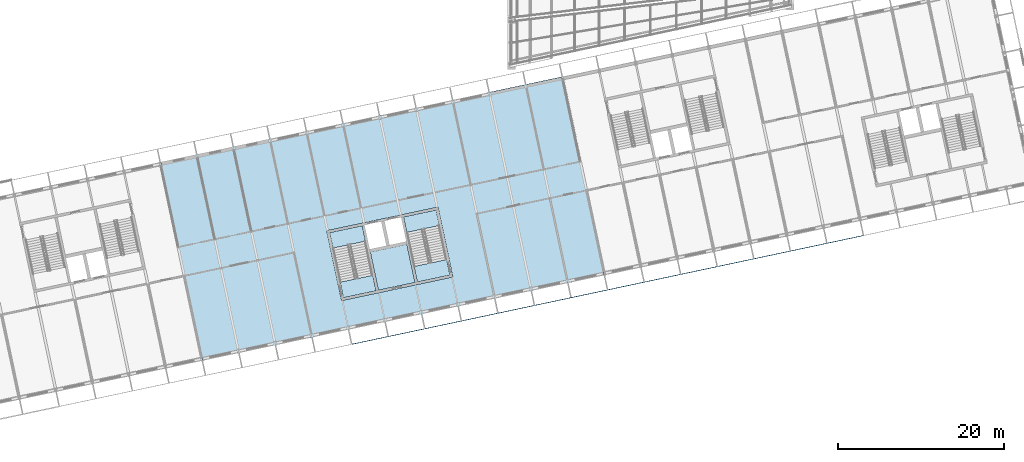
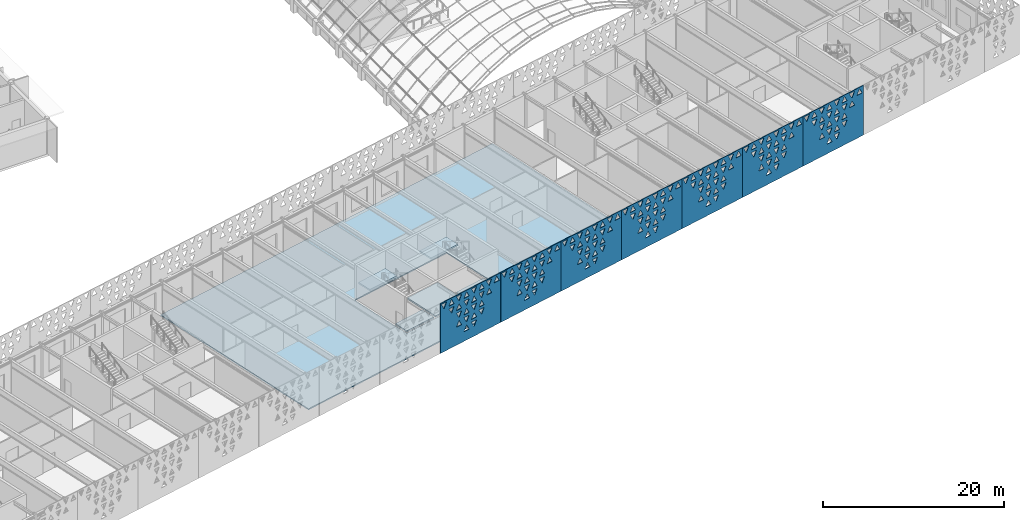
# One storey, part 100 of 182: 7 plates, 6 slabs, 2 elements without a shape of their own.
"""IFC4 building model written with IfcOpenShell, lengths in metres."""

from ifc_helpers import new_model, si_unit, direction, frame, origin, place, context, subcontext, project, spatial, polyline, outline, extrude, material, layer, layer_set, type_object, element, aggregate, save


model = new_model("IFC4")

# Units and contexts
model_context = context("Model", 3, precision=1e-05, world=origin(), true_north=direction((0.0, 1.0)))
body_context = subcontext(model_context, "Body", "Model", "MODEL_VIEW")
ifc_project = project(units=[si_unit("LENGTHUNIT", "METRE"), si_unit("AREAUNIT", "SQUARE_METRE"), si_unit("VOLUMEUNIT", "CUBIC_METRE"), si_unit("PLANEANGLEUNIT", "RADIAN"), si_unit("MASSUNIT", "GRAM", prefix="KILO")], contexts=[model_context])

# Site, building, storey
site_placement = place(None, origin())
site = spatial("IfcSite", under=ifc_project, at=site_placement, CompositionType="ELEMENT")
building_placement = place(site_placement, origin())
building = spatial("IfcBuilding", under=site, at=building_placement, Name="Okhra Congress Centre", CompositionType="ELEMENT")
storey_placement = place(building_placement, frame((0.0, 0.0, 7.199951171875)))
storey = spatial("IfcBuildingStorey", under=building, at=storey_placement, Name="L01", CompositionType="ELEMENT", Elevation=7.199951171875)

# Slabs
ifc_material_1 = material(Name="Concrete C30/37 on profiled steel deck", Category="concrete")
ifc_layer_1 = layer(ifc_material_1, 0.14990234375)
ifc_layer_set_1 = layer_set([ifc_layer_1], Name="Composite floor deck 150 REI 120 C30/37")
slab_type_1 = type_object("IfcSlabType", Name="Composite floor deck 150 REI 120 C30/37", PredefinedType="FLOOR", material=ifc_layer_set_1)
slab_1_placement = place(storey_placement, frame((0.0, 0.0, -0.14990234375)))
element("IfcSlab", 1, at=slab_1_placement, inside=storey, type_object=slab_type_1, Name="Floor slab L01 bay 2", PredefinedType="FLOOR", context=body_context, shape_type="SweptSolid", body=[
    extrude(outline(polyline([(113.244873046875, 62.677978515625), (118.328369140625, 38.762451171875), (166.64892578125, 49.033203125), (161.5654296875, 72.948974609375), (113.244873046875, 62.677978515625)]), holes=[polyline([(148.4404296875, 48.84326171875), (146.65234375, 57.25537109375), (133.251708984375, 54.406982421875), (135.039794921875, 45.994873046875), (148.4404296875, 48.84326171875)])]), origin(), (0.0, 0.0, 1.0), 0.14990234375),
])
ifc_material_2 = material(Name="Concrete C30/37", Category="concrete")
ifc_layer_2 = layer(ifc_material_2, 0.199951171875)
ifc_layer_set_2 = layer_set([ifc_layer_2], Name="RC floor slab 200 REI 120 C30/37")
slab_type_2 = type_object("IfcSlabType", Name="RC floor slab 200 REI 120 C30/37", PredefinedType="FLOOR", material=ifc_layer_set_2)
slab_2_placement = place(storey_placement, frame((0.0, 0.0, -0.199951171875)))
element("IfcSlab", 2, at=slab_2_placement, inside=storey, type_object=slab_type_2, Name="Stair floor landing 3A L01", PredefinedType="FLOOR", context=body_context, shape_type="SweptSolid", body=[
    extrude(outline(polyline([(139.189453125, 47.178466796875), (135.26708984375, 46.3447265625), (134.869873046875, 48.213134765625), (138.792236328125, 49.046875), (139.189453125, 47.178466796875)])), origin(), (0.0, 0.0, 1.0), 0.199951171875),
])
slab_3_placement = place(storey_placement, frame((0.0, 0.0, -0.199951171875)))
element("IfcSlab", 3, at=slab_3_placement, inside=storey, type_object=slab_type_2, Name="Stair floor landing 3B L01", PredefinedType="FLOOR", context=body_context, shape_type="SweptSolid", body=[
    extrude(outline(polyline([(148.090576171875, 49.070556640625), (144.168212890625, 48.23681640625), (143.77099609375, 50.10498046875), (147.693359375, 50.938720703125), (148.090576171875, 49.070556640625)])), origin(), (0.0, 0.0, 1.0), 0.199951171875),
])
slab_4_placement = place(storey_placement, frame((0.0, 0.0, -0.199951171875)))
element("IfcSlab", 4, at=slab_4_placement, inside=storey, type_object=slab_type_2, Name="Riser room floor 3 L01", PredefinedType="FLOOR", context=body_context, shape_type="SweptSolid", body=[
    extrude(outline(polyline([(139.476806640625, 47.244873046875), (143.87841796875, 48.180419921875), (142.9013671875, 52.777587890625), (138.499755859375, 51.842041015625), (139.476806640625, 47.244873046875)])), origin(), (0.0, 0.0, 1.0), 0.199951171875),
])

# Stair, slab
stair_type = type_object("IfcStairType", Name="Escape stair 1900 wide, 30 risers of 160.0", PredefinedType="HALF_TURN_STAIR", material=ifc_material_2)
stair_1_placement = place(storey_placement, origin())
stair_1 = element("IfcStair", 5, at=stair_1_placement, inside=storey, type_object=stair_type, Name="L01 Escape stair 3A", PredefinedType="HALF_TURN_STAIR")
ifc_layer_3 = layer(ifc_material_2, 0.199951171875)
ifc_layer_set_3 = layer_set([ifc_layer_3], Name="RC stair landing 200 C30/37")
slab_type_3 = type_object("IfcSlabType", Name="RC stair landing 200 C30/37", PredefinedType="LANDING", material=ifc_layer_set_3)
slab_5_placement = place(storey_placement, frame((0.0, 0.0, 2.199951171875)))
slab_5 = element("IfcSlab", 6, at=slab_5_placement, type_object=slab_type_3, Name="BS3A landing 1", PredefinedType="LANDING", context=body_context, shape_type="SweptSolid", body=[
    extrude(outline(polyline([(137.921142578125, 53.145263671875), (133.998779296875, 52.3115234375), (133.6015625, 54.1796875), (137.52392578125, 55.013427734375), (137.921142578125, 53.145263671875)])), origin(), (0.0, 0.0, 1.0), 0.2001953125),
])
aggregate(stair_1, [slab_5])

stair_2_placement = place(storey_placement, origin())
stair_2 = element("IfcStair", 7, at=stair_2_placement, inside=storey, type_object=stair_type, Name="L01 Escape stair 3B", PredefinedType="HALF_TURN_STAIR")
slab_6_placement = place(storey_placement, frame((0.0, 0.0, 2.199951171875)))
slab_6 = element("IfcSlab", 8, at=slab_6_placement, type_object=slab_type_3, Name="BS3B landing 1", PredefinedType="LANDING", context=body_context, shape_type="SweptSolid", body=[
    extrude(outline(polyline([(146.822265625, 55.037353515625), (142.89990234375, 54.20361328125), (142.502685546875, 56.07177734375), (146.425048828125, 56.905517578125), (146.822265625, 55.037353515625)])), origin(), (0.0, 0.0, 1.0), 0.2001953125),
])
aggregate(stair_2, [slab_6])

# Plates
ifc_material_3 = material(Name="Fired clay terracotta rainscreen panel, deep oxide-red glaze, non-combustible", Category="masonry")
ifc_layer_4 = layer(ifc_material_3, 0.080078125)
ifc_layer_set_4 = layer_set([ifc_layer_4], Name="Terracotta screen panel 8980x6720")
plate_type = type_object("IfcPlateType", Name="Terracotta screen panel 8980x6720", PredefinedType="SHEET", material=ifc_layer_set_4)
plate_1_placement = place(storey_placement, frame((136.27001953125, 40.73583984375, 0.010009765625), z_axis=(0.0, 0.0, 1.0), x_axis=(0.978150766104, 0.207896798366, 0.0)))
element("IfcPlate", 9, at=plate_1_placement, inside=storey, type_object=plate_type, Name="Screen panel S10 Tier 1", PredefinedType="SHEET", context=body_context, shape_type="SweptSolid", body=[
    extrude(outline(polyline([(0.0, 0.0), (8.980224609375, 0.0), (8.980224609375, 6.719970703125), (0.0, 6.719970703125), (0.0, 0.0)]), holes=[polyline([(3.536376953125, 1.303955078125), (4.3037109375, 1.303955078125), (3.919921875, 2.05615234375), (3.536376953125, 1.303955078125)]), polyline([(4.656494140625, 2.05615234375), (5.0400390625, 1.303955078125), (5.423583984375, 2.05615234375), (4.656494140625, 2.05615234375)]), polyline([(2.41650390625, 2.423828125), (3.18359375, 2.423828125), (2.800048828125, 3.176025390625), (2.41650390625, 2.423828125)]), polyline([(3.536376953125, 3.176025390625), (3.919921875, 2.423828125), (4.3037109375, 3.176025390625), (3.536376953125, 3.176025390625)]), polyline([(4.656494140625, 2.423828125), (5.423583984375, 2.423828125), (5.0400390625, 3.176025390625), (4.656494140625, 2.423828125)]), polyline([(5.7763671875, 3.176025390625), (6.159912109375, 2.423828125), (6.543701171875, 3.176025390625), (5.7763671875, 3.176025390625)]), polyline([(2.41650390625, 4.296142578125), (2.800048828125, 3.5439453125), (3.18359375, 4.296142578125), (2.41650390625, 4.296142578125)]), polyline([(3.536376953125, 3.5439453125), (4.3037109375, 3.5439453125), (3.919921875, 4.296142578125), (3.536376953125, 3.5439453125)]), polyline([(4.656494140625, 4.296142578125), (5.0400390625, 3.5439453125), (5.423583984375, 4.296142578125), (4.656494140625, 4.296142578125)]), polyline([(5.7763671875, 3.5439453125), (6.543701171875, 3.5439453125), (6.159912109375, 4.296142578125), (5.7763671875, 3.5439453125)]), polyline([(1.29638671875, 5.416015625), (1.679931640625, 4.663818359375), (2.0634765625, 5.416015625), (1.29638671875, 5.416015625)]), polyline([(2.41650390625, 4.663818359375), (3.18359375, 4.663818359375), (2.800048828125, 5.416015625), (2.41650390625, 4.663818359375)]), polyline([(3.536376953125, 5.416015625), (3.919921875, 4.663818359375), (4.3037109375, 5.416015625), (3.536376953125, 5.416015625)]), polyline([(4.656494140625, 4.663818359375), (5.423583984375, 4.663818359375), (5.0400390625, 5.416015625), (4.656494140625, 4.663818359375)]), polyline([(5.7763671875, 5.416015625), (6.159912109375, 4.663818359375), (6.543701171875, 5.416015625), (5.7763671875, 5.416015625)]), polyline([(6.896484375, 4.663818359375), (7.66357421875, 4.663818359375), (7.280029296875, 5.416015625), (6.896484375, 4.663818359375)]), polyline([(0.176513671875, 6.5361328125), (0.56005859375, 5.783935546875), (0.943603515625, 6.5361328125), (0.176513671875, 6.5361328125)]), polyline([(1.29638671875, 5.783935546875), (2.0634765625, 5.783935546875), (1.679931640625, 6.5361328125), (1.29638671875, 5.783935546875)]), polyline([(2.41650390625, 6.5361328125), (2.800048828125, 5.783935546875), (3.18359375, 6.5361328125), (2.41650390625, 6.5361328125)]), polyline([(3.536376953125, 5.783935546875), (4.3037109375, 5.783935546875), (3.919921875, 6.5361328125), (3.536376953125, 5.783935546875)]), polyline([(4.656494140625, 6.5361328125), (5.0400390625, 5.783935546875), (5.423583984375, 6.5361328125), (4.656494140625, 6.5361328125)]), polyline([(5.7763671875, 5.783935546875), (6.543701171875, 5.783935546875), (6.159912109375, 6.5361328125), (5.7763671875, 5.783935546875)]), polyline([(6.896484375, 6.5361328125), (7.280029296875, 5.783935546875), (7.66357421875, 6.5361328125), (6.896484375, 6.5361328125)]), polyline([(8.016357421875, 5.783935546875), (8.78369140625, 5.783935546875), (8.39990234375, 6.5361328125), (8.016357421875, 5.783935546875)])]), frame((0.0, 0.0400390625, 0.0), z_axis=(0.0, -1.0, 0.0), x_axis=(1.0, 0.0, 0.0)), (0.0, 0.0, 1.0), 0.080078125),
])
plate_2_placement = place(storey_placement, frame((145.073486328125, 42.60693359375, 0.010009765625), z_axis=(0.0, 0.0, 1.0), x_axis=(0.978144061878, 0.207928339131, 0.0)))
element("IfcPlate", 10, at=plate_2_placement, inside=storey, type_object=plate_type, Name="Screen panel S11 Tier 1", PredefinedType="SHEET", context=body_context, shape_type="SweptSolid", body=[
    extrude(outline(polyline([(0.0, 0.0), (8.97998046875, 0.0), (8.97998046875, 6.719970703125), (0.0, 6.719970703125), (0.0, 0.0)]), holes=[polyline([(3.536376953125, 1.303955078125), (4.3037109375, 1.303955078125), (3.919921875, 2.05615234375), (3.536376953125, 1.303955078125)]), polyline([(4.656494140625, 2.05615234375), (5.0400390625, 1.303955078125), (5.423583984375, 2.05615234375), (4.656494140625, 2.05615234375)]), polyline([(2.41650390625, 2.423828125), (3.18359375, 2.423828125), (2.800048828125, 3.176025390625), (2.41650390625, 2.423828125)]), polyline([(3.536376953125, 3.176025390625), (3.919921875, 2.423828125), (4.3037109375, 3.176025390625), (3.536376953125, 3.176025390625)]), polyline([(4.656494140625, 2.423828125), (5.423583984375, 2.423828125), (5.0400390625, 3.176025390625), (4.656494140625, 2.423828125)]), polyline([(5.7763671875, 3.176025390625), (6.159912109375, 2.423828125), (6.543701171875, 3.176025390625), (5.7763671875, 3.176025390625)]), polyline([(2.41650390625, 4.296142578125), (2.800048828125, 3.5439453125), (3.18359375, 4.296142578125), (2.41650390625, 4.296142578125)]), polyline([(3.536376953125, 3.5439453125), (4.3037109375, 3.5439453125), (3.919921875, 4.296142578125), (3.536376953125, 3.5439453125)]), polyline([(4.656494140625, 4.296142578125), (5.0400390625, 3.5439453125), (5.423583984375, 4.296142578125), (4.656494140625, 4.296142578125)]), polyline([(5.7763671875, 3.5439453125), (6.543701171875, 3.5439453125), (6.159912109375, 4.296142578125), (5.7763671875, 3.5439453125)]), polyline([(1.29638671875, 5.416015625), (1.679931640625, 4.663818359375), (2.0634765625, 5.416015625), (1.29638671875, 5.416015625)]), polyline([(2.41650390625, 4.663818359375), (3.18359375, 4.663818359375), (2.800048828125, 5.416015625), (2.41650390625, 4.663818359375)]), polyline([(3.536376953125, 5.416015625), (3.919921875, 4.663818359375), (4.3037109375, 5.416015625), (3.536376953125, 5.416015625)]), polyline([(4.656494140625, 4.663818359375), (5.423583984375, 4.663818359375), (5.0400390625, 5.416015625), (4.656494140625, 4.663818359375)]), polyline([(5.7763671875, 5.416015625), (6.159912109375, 4.663818359375), (6.543701171875, 5.416015625), (5.7763671875, 5.416015625)]), polyline([(6.896484375, 4.663818359375), (7.66357421875, 4.663818359375), (7.280029296875, 5.416015625), (6.896484375, 4.663818359375)]), polyline([(0.176513671875, 6.5361328125), (0.56005859375, 5.783935546875), (0.943603515625, 6.5361328125), (0.176513671875, 6.5361328125)]), polyline([(1.29638671875, 5.783935546875), (2.0634765625, 5.783935546875), (1.679931640625, 6.5361328125), (1.29638671875, 5.783935546875)]), polyline([(2.41650390625, 6.5361328125), (2.800048828125, 5.783935546875), (3.18359375, 6.5361328125), (2.41650390625, 6.5361328125)]), polyline([(3.536376953125, 5.783935546875), (4.3037109375, 5.783935546875), (3.919921875, 6.5361328125), (3.536376953125, 5.783935546875)]), polyline([(4.656494140625, 6.5361328125), (5.0400390625, 5.783935546875), (5.423583984375, 6.5361328125), (4.656494140625, 6.5361328125)]), polyline([(5.7763671875, 5.783935546875), (6.543701171875, 5.783935546875), (6.159912109375, 6.5361328125), (5.7763671875, 5.783935546875)]), polyline([(6.896484375, 6.5361328125), (7.280029296875, 5.783935546875), (7.66357421875, 6.5361328125), (6.896484375, 6.5361328125)]), polyline([(8.016357421875, 5.783935546875), (8.78369140625, 5.783935546875), (8.39990234375, 6.5361328125), (8.016357421875, 5.783935546875)])]), frame((0.0, 0.0400390625, 0.0), z_axis=(0.0, -1.0, 0.0), x_axis=(1.0, 0.0, 0.0)), (0.0, 0.0, 1.0), 0.080078125),
])
plate_3_placement = place(storey_placement, frame((153.876708984375, 44.478271484375, 0.010009765625), z_axis=(0.0, 0.0, 1.0), x_axis=(0.978149591018, 0.207902327047, 0.0)))
element("IfcPlate", 11, at=plate_3_placement, inside=storey, type_object=plate_type, Name="Screen panel S12 Tier 1", PredefinedType="SHEET", context=body_context, shape_type="SweptSolid", body=[
    extrude(outline(polyline([(0.0, 0.0), (8.97998046875, 0.0), (8.97998046875, 6.719970703125), (0.0, 6.719970703125), (0.0, 0.0)]), holes=[polyline([(3.536376953125, 1.303955078125), (4.3037109375, 1.303955078125), (3.919921875, 2.05615234375), (3.536376953125, 1.303955078125)]), polyline([(4.656494140625, 2.05615234375), (5.0400390625, 1.303955078125), (5.423583984375, 2.05615234375), (4.656494140625, 2.05615234375)]), polyline([(2.41650390625, 2.423828125), (3.18359375, 2.423828125), (2.800048828125, 3.176025390625), (2.41650390625, 2.423828125)]), polyline([(3.536376953125, 3.176025390625), (3.919921875, 2.423828125), (4.3037109375, 3.176025390625), (3.536376953125, 3.176025390625)]), polyline([(4.656494140625, 2.423828125), (5.423583984375, 2.423828125), (5.0400390625, 3.176025390625), (4.656494140625, 2.423828125)]), polyline([(5.7763671875, 3.176025390625), (6.159912109375, 2.423828125), (6.543701171875, 3.176025390625), (5.7763671875, 3.176025390625)]), polyline([(2.41650390625, 4.296142578125), (2.800048828125, 3.5439453125), (3.18359375, 4.296142578125), (2.41650390625, 4.296142578125)]), polyline([(3.536376953125, 3.5439453125), (4.3037109375, 3.5439453125), (3.919921875, 4.296142578125), (3.536376953125, 3.5439453125)]), polyline([(4.656494140625, 4.296142578125), (5.0400390625, 3.5439453125), (5.423583984375, 4.296142578125), (4.656494140625, 4.296142578125)]), polyline([(5.7763671875, 3.5439453125), (6.543701171875, 3.5439453125), (6.159912109375, 4.296142578125), (5.7763671875, 3.5439453125)]), polyline([(1.29638671875, 5.416015625), (1.679931640625, 4.663818359375), (2.0634765625, 5.416015625), (1.29638671875, 5.416015625)]), polyline([(2.41650390625, 4.663818359375), (3.18359375, 4.663818359375), (2.800048828125, 5.416015625), (2.41650390625, 4.663818359375)]), polyline([(3.536376953125, 5.416015625), (3.919921875, 4.663818359375), (4.3037109375, 5.416015625), (3.536376953125, 5.416015625)]), polyline([(4.656494140625, 4.663818359375), (5.423583984375, 4.663818359375), (5.0400390625, 5.416015625), (4.656494140625, 4.663818359375)]), polyline([(5.7763671875, 5.416015625), (6.159912109375, 4.663818359375), (6.543701171875, 5.416015625), (5.7763671875, 5.416015625)]), polyline([(6.896484375, 4.663818359375), (7.66357421875, 4.663818359375), (7.280029296875, 5.416015625), (6.896484375, 4.663818359375)]), polyline([(0.176513671875, 6.5361328125), (0.56005859375, 5.783935546875), (0.943603515625, 6.5361328125), (0.176513671875, 6.5361328125)]), polyline([(1.29638671875, 5.783935546875), (2.0634765625, 5.783935546875), (1.679931640625, 6.5361328125), (1.29638671875, 5.783935546875)]), polyline([(2.41650390625, 6.5361328125), (2.800048828125, 5.783935546875), (3.18359375, 6.5361328125), (2.41650390625, 6.5361328125)]), polyline([(3.536376953125, 5.783935546875), (4.3037109375, 5.783935546875), (3.919921875, 6.5361328125), (3.536376953125, 5.783935546875)]), polyline([(4.656494140625, 6.5361328125), (5.0400390625, 5.783935546875), (5.423583984375, 6.5361328125), (4.656494140625, 6.5361328125)]), polyline([(5.7763671875, 5.783935546875), (6.543701171875, 5.783935546875), (6.159912109375, 6.5361328125), (5.7763671875, 5.783935546875)]), polyline([(6.896484375, 6.5361328125), (7.280029296875, 5.783935546875), (7.66357421875, 6.5361328125), (6.896484375, 6.5361328125)]), polyline([(8.016357421875, 5.783935546875), (8.78369140625, 5.783935546875), (8.39990234375, 6.5361328125), (8.016357421875, 5.783935546875)])]), frame((0.0, 0.0400390625, 0.0), z_axis=(0.0, -1.0, 0.0), x_axis=(1.0, 0.0, 0.0)), (0.0, 0.0, 1.0), 0.080078125),
])
plate_4_placement = place(storey_placement, frame((162.68017578125, 46.349365234375, 0.010009765625), z_axis=(0.0, 0.0, 1.0), x_axis=(0.978144061878, 0.207928339131, 0.0)))
element("IfcPlate", 12, at=plate_4_placement, inside=storey, type_object=plate_type, Name="Screen panel S13 Tier 1", PredefinedType="SHEET", context=body_context, shape_type="SweptSolid", body=[
    extrude(outline(polyline([(0.0, 0.0), (8.97998046875, 0.0), (8.97998046875, 6.719970703125), (0.0, 6.719970703125), (0.0, 0.0)]), holes=[polyline([(3.536376953125, 1.303955078125), (4.3037109375, 1.303955078125), (3.919921875, 2.05615234375), (3.536376953125, 1.303955078125)]), polyline([(4.656494140625, 2.05615234375), (5.0400390625, 1.303955078125), (5.423583984375, 2.05615234375), (4.656494140625, 2.05615234375)]), polyline([(2.41650390625, 2.423828125), (3.18359375, 2.423828125), (2.800048828125, 3.176025390625), (2.41650390625, 2.423828125)]), polyline([(3.536376953125, 3.176025390625), (3.919921875, 2.423828125), (4.3037109375, 3.176025390625), (3.536376953125, 3.176025390625)]), polyline([(4.656494140625, 2.423828125), (5.423583984375, 2.423828125), (5.0400390625, 3.176025390625), (4.656494140625, 2.423828125)]), polyline([(5.7763671875, 3.176025390625), (6.159912109375, 2.423828125), (6.543701171875, 3.176025390625), (5.7763671875, 3.176025390625)]), polyline([(2.41650390625, 4.296142578125), (2.800048828125, 3.5439453125), (3.18359375, 4.296142578125), (2.41650390625, 4.296142578125)]), polyline([(3.536376953125, 3.5439453125), (4.3037109375, 3.5439453125), (3.919921875, 4.296142578125), (3.536376953125, 3.5439453125)]), polyline([(4.656494140625, 4.296142578125), (5.0400390625, 3.5439453125), (5.423583984375, 4.296142578125), (4.656494140625, 4.296142578125)]), polyline([(5.7763671875, 3.5439453125), (6.543701171875, 3.5439453125), (6.159912109375, 4.296142578125), (5.7763671875, 3.5439453125)]), polyline([(1.29638671875, 5.416015625), (1.679931640625, 4.663818359375), (2.0634765625, 5.416015625), (1.29638671875, 5.416015625)]), polyline([(2.41650390625, 4.663818359375), (3.18359375, 4.663818359375), (2.800048828125, 5.416015625), (2.41650390625, 4.663818359375)]), polyline([(3.536376953125, 5.416015625), (3.919921875, 4.663818359375), (4.3037109375, 5.416015625), (3.536376953125, 5.416015625)]), polyline([(4.656494140625, 4.663818359375), (5.423583984375, 4.663818359375), (5.0400390625, 5.416015625), (4.656494140625, 4.663818359375)]), polyline([(5.7763671875, 5.416015625), (6.159912109375, 4.663818359375), (6.543701171875, 5.416015625), (5.7763671875, 5.416015625)]), polyline([(6.896484375, 4.663818359375), (7.66357421875, 4.663818359375), (7.280029296875, 5.416015625), (6.896484375, 4.663818359375)]), polyline([(0.176513671875, 6.5361328125), (0.56005859375, 5.783935546875), (0.943603515625, 6.5361328125), (0.176513671875, 6.5361328125)]), polyline([(1.29638671875, 5.783935546875), (2.0634765625, 5.783935546875), (1.679931640625, 6.5361328125), (1.29638671875, 5.783935546875)]), polyline([(2.41650390625, 6.5361328125), (2.800048828125, 5.783935546875), (3.18359375, 6.5361328125), (2.41650390625, 6.5361328125)]), polyline([(3.536376953125, 5.783935546875), (4.3037109375, 5.783935546875), (3.919921875, 6.5361328125), (3.536376953125, 5.783935546875)]), polyline([(4.656494140625, 6.5361328125), (5.0400390625, 5.783935546875), (5.423583984375, 6.5361328125), (4.656494140625, 6.5361328125)]), polyline([(5.7763671875, 5.783935546875), (6.543701171875, 5.783935546875), (6.159912109375, 6.5361328125), (5.7763671875, 5.783935546875)]), polyline([(6.896484375, 6.5361328125), (7.280029296875, 5.783935546875), (7.66357421875, 6.5361328125), (6.896484375, 6.5361328125)]), polyline([(8.016357421875, 5.783935546875), (8.78369140625, 5.783935546875), (8.39990234375, 6.5361328125), (8.016357421875, 5.783935546875)])]), frame((0.0, 0.0400390625, 0.0), z_axis=(0.0, -1.0, 0.0), x_axis=(1.0, 0.0, 0.0)), (0.0, 0.0, 1.0), 0.080078125),
])
plate_5_placement = place(storey_placement, frame((171.4833984375, 48.220703125, 0.010009765625), z_axis=(0.0, 0.0, 1.0), x_axis=(0.978149591018, 0.207902327047, 0.0)))
element("IfcPlate", 13, at=plate_5_placement, inside=storey, type_object=plate_type, Name="Screen panel S14 Tier 1", PredefinedType="SHEET", context=body_context, shape_type="SweptSolid", body=[
    extrude(outline(polyline([(0.0, 0.0), (8.97998046875, 0.0), (8.97998046875, 6.719970703125), (0.0, 6.719970703125), (0.0, 0.0)]), holes=[polyline([(3.536376953125, 1.303955078125), (4.3037109375, 1.303955078125), (3.919921875, 2.05615234375), (3.536376953125, 1.303955078125)]), polyline([(4.656494140625, 2.05615234375), (5.0400390625, 1.303955078125), (5.423583984375, 2.05615234375), (4.656494140625, 2.05615234375)]), polyline([(2.41650390625, 2.423828125), (3.18359375, 2.423828125), (2.800048828125, 3.176025390625), (2.41650390625, 2.423828125)]), polyline([(3.536376953125, 3.176025390625), (3.919921875, 2.423828125), (4.3037109375, 3.176025390625), (3.536376953125, 3.176025390625)]), polyline([(4.656494140625, 2.423828125), (5.423583984375, 2.423828125), (5.0400390625, 3.176025390625), (4.656494140625, 2.423828125)]), polyline([(5.7763671875, 3.176025390625), (6.159912109375, 2.423828125), (6.543701171875, 3.176025390625), (5.7763671875, 3.176025390625)]), polyline([(2.41650390625, 4.296142578125), (2.800048828125, 3.5439453125), (3.18359375, 4.296142578125), (2.41650390625, 4.296142578125)]), polyline([(3.536376953125, 3.5439453125), (4.3037109375, 3.5439453125), (3.919921875, 4.296142578125), (3.536376953125, 3.5439453125)]), polyline([(4.656494140625, 4.296142578125), (5.0400390625, 3.5439453125), (5.423583984375, 4.296142578125), (4.656494140625, 4.296142578125)]), polyline([(5.7763671875, 3.5439453125), (6.543701171875, 3.5439453125), (6.159912109375, 4.296142578125), (5.7763671875, 3.5439453125)]), polyline([(1.29638671875, 5.416015625), (1.679931640625, 4.663818359375), (2.0634765625, 5.416015625), (1.29638671875, 5.416015625)]), polyline([(2.41650390625, 4.663818359375), (3.18359375, 4.663818359375), (2.800048828125, 5.416015625), (2.41650390625, 4.663818359375)]), polyline([(3.536376953125, 5.416015625), (3.919921875, 4.663818359375), (4.3037109375, 5.416015625), (3.536376953125, 5.416015625)]), polyline([(4.656494140625, 4.663818359375), (5.423583984375, 4.663818359375), (5.0400390625, 5.416015625), (4.656494140625, 4.663818359375)]), polyline([(5.7763671875, 5.416015625), (6.159912109375, 4.663818359375), (6.543701171875, 5.416015625), (5.7763671875, 5.416015625)]), polyline([(6.896484375, 4.663818359375), (7.66357421875, 4.663818359375), (7.280029296875, 5.416015625), (6.896484375, 4.663818359375)]), polyline([(0.176513671875, 6.5361328125), (0.56005859375, 5.783935546875), (0.943603515625, 6.5361328125), (0.176513671875, 6.5361328125)]), polyline([(1.29638671875, 5.783935546875), (2.0634765625, 5.783935546875), (1.679931640625, 6.5361328125), (1.29638671875, 5.783935546875)]), polyline([(2.41650390625, 6.5361328125), (2.800048828125, 5.783935546875), (3.18359375, 6.5361328125), (2.41650390625, 6.5361328125)]), polyline([(3.536376953125, 5.783935546875), (4.3037109375, 5.783935546875), (3.919921875, 6.5361328125), (3.536376953125, 5.783935546875)]), polyline([(4.656494140625, 6.5361328125), (5.0400390625, 5.783935546875), (5.423583984375, 6.5361328125), (4.656494140625, 6.5361328125)]), polyline([(5.7763671875, 5.783935546875), (6.543701171875, 5.783935546875), (6.159912109375, 6.5361328125), (5.7763671875, 5.783935546875)]), polyline([(6.896484375, 6.5361328125), (7.280029296875, 5.783935546875), (7.66357421875, 6.5361328125), (6.896484375, 6.5361328125)]), polyline([(8.016357421875, 5.783935546875), (8.78369140625, 5.783935546875), (8.39990234375, 6.5361328125), (8.016357421875, 5.783935546875)])]), frame((0.0, 0.0400390625, 0.0), z_axis=(0.0, -1.0, 0.0), x_axis=(1.0, 0.0, 0.0)), (0.0, 0.0, 1.0), 0.080078125),
])
plate_6_placement = place(storey_placement, frame((180.28662109375, 50.091796875, 0.010009765625), z_axis=(0.0, 0.0, 1.0), x_axis=(0.978145237251, 0.207922809819, 0.0)))
element("IfcPlate", 14, at=plate_6_placement, inside=storey, type_object=plate_type, Name="Screen panel S15 Tier 1", PredefinedType="SHEET", context=body_context, shape_type="SweptSolid", body=[
    extrude(outline(polyline([(0.0, 0.0), (8.980224609375, 0.0), (8.980224609375, 6.719970703125), (0.0, 6.719970703125), (0.0, 0.0)]), holes=[polyline([(3.536376953125, 1.303955078125), (4.3037109375, 1.303955078125), (3.919921875, 2.05615234375), (3.536376953125, 1.303955078125)]), polyline([(4.656494140625, 2.05615234375), (5.0400390625, 1.303955078125), (5.423583984375, 2.05615234375), (4.656494140625, 2.05615234375)]), polyline([(2.41650390625, 2.423828125), (3.18359375, 2.423828125), (2.800048828125, 3.176025390625), (2.41650390625, 2.423828125)]), polyline([(3.536376953125, 3.176025390625), (3.919921875, 2.423828125), (4.3037109375, 3.176025390625), (3.536376953125, 3.176025390625)]), polyline([(4.656494140625, 2.423828125), (5.423583984375, 2.423828125), (5.0400390625, 3.176025390625), (4.656494140625, 2.423828125)]), polyline([(5.7763671875, 3.176025390625), (6.159912109375, 2.423828125), (6.543701171875, 3.176025390625), (5.7763671875, 3.176025390625)]), polyline([(2.41650390625, 4.296142578125), (2.800048828125, 3.5439453125), (3.18359375, 4.296142578125), (2.41650390625, 4.296142578125)]), polyline([(3.536376953125, 3.5439453125), (4.3037109375, 3.5439453125), (3.919921875, 4.296142578125), (3.536376953125, 3.5439453125)]), polyline([(4.656494140625, 4.296142578125), (5.0400390625, 3.5439453125), (5.423583984375, 4.296142578125), (4.656494140625, 4.296142578125)]), polyline([(5.7763671875, 3.5439453125), (6.543701171875, 3.5439453125), (6.159912109375, 4.296142578125), (5.7763671875, 3.5439453125)]), polyline([(1.29638671875, 5.416015625), (1.679931640625, 4.663818359375), (2.0634765625, 5.416015625), (1.29638671875, 5.416015625)]), polyline([(2.41650390625, 4.663818359375), (3.18359375, 4.663818359375), (2.800048828125, 5.416015625), (2.41650390625, 4.663818359375)]), polyline([(3.536376953125, 5.416015625), (3.919921875, 4.663818359375), (4.3037109375, 5.416015625), (3.536376953125, 5.416015625)]), polyline([(4.656494140625, 4.663818359375), (5.423583984375, 4.663818359375), (5.0400390625, 5.416015625), (4.656494140625, 4.663818359375)]), polyline([(5.7763671875, 5.416015625), (6.159912109375, 4.663818359375), (6.543701171875, 5.416015625), (5.7763671875, 5.416015625)]), polyline([(6.896484375, 4.663818359375), (7.66357421875, 4.663818359375), (7.280029296875, 5.416015625), (6.896484375, 4.663818359375)]), polyline([(0.176513671875, 6.5361328125), (0.56005859375, 5.783935546875), (0.943603515625, 6.5361328125), (0.176513671875, 6.5361328125)]), polyline([(1.29638671875, 5.783935546875), (2.0634765625, 5.783935546875), (1.679931640625, 6.5361328125), (1.29638671875, 5.783935546875)]), polyline([(2.41650390625, 6.5361328125), (2.800048828125, 5.783935546875), (3.18359375, 6.5361328125), (2.41650390625, 6.5361328125)]), polyline([(3.536376953125, 5.783935546875), (4.3037109375, 5.783935546875), (3.919921875, 6.5361328125), (3.536376953125, 5.783935546875)]), polyline([(4.656494140625, 6.5361328125), (5.0400390625, 5.783935546875), (5.423583984375, 6.5361328125), (4.656494140625, 6.5361328125)]), polyline([(5.7763671875, 5.783935546875), (6.543701171875, 5.783935546875), (6.159912109375, 6.5361328125), (5.7763671875, 5.783935546875)]), polyline([(6.896484375, 6.5361328125), (7.280029296875, 5.783935546875), (7.66357421875, 6.5361328125), (6.896484375, 6.5361328125)]), polyline([(8.016357421875, 5.783935546875), (8.78369140625, 5.783935546875), (8.39990234375, 6.5361328125), (8.016357421875, 5.783935546875)])]), frame((0.0, 0.0400390625, 0.0), z_axis=(0.0, -1.0, 0.0), x_axis=(1.0, 0.0, 0.0)), (0.0, 0.0, 1.0), 0.080078125),
])
plate_7_placement = place(storey_placement, frame((189.090087890625, 51.963134765625, 0.010009765625), z_axis=(0.0, 0.0, 1.0), x_axis=(0.978149591018, 0.207902327047, 0.0)))
element("IfcPlate", 15, at=plate_7_placement, inside=storey, type_object=plate_type, Name="Screen panel S16 Tier 1", PredefinedType="SHEET", context=body_context, shape_type="SweptSolid", body=[
    extrude(outline(polyline([(0.0, 0.0), (8.97998046875, 0.0), (8.97998046875, 6.719970703125), (0.0, 6.719970703125), (0.0, 0.0)]), holes=[polyline([(3.536376953125, 1.303955078125), (4.3037109375, 1.303955078125), (3.919921875, 2.05615234375), (3.536376953125, 1.303955078125)]), polyline([(4.656494140625, 2.05615234375), (5.0400390625, 1.303955078125), (5.423583984375, 2.05615234375), (4.656494140625, 2.05615234375)]), polyline([(2.41650390625, 2.423828125), (3.18359375, 2.423828125), (2.800048828125, 3.176025390625), (2.41650390625, 2.423828125)]), polyline([(3.536376953125, 3.176025390625), (3.919921875, 2.423828125), (4.3037109375, 3.176025390625), (3.536376953125, 3.176025390625)]), polyline([(4.656494140625, 2.423828125), (5.423583984375, 2.423828125), (5.0400390625, 3.176025390625), (4.656494140625, 2.423828125)]), polyline([(5.7763671875, 3.176025390625), (6.159912109375, 2.423828125), (6.543701171875, 3.176025390625), (5.7763671875, 3.176025390625)]), polyline([(2.41650390625, 4.296142578125), (2.800048828125, 3.5439453125), (3.18359375, 4.296142578125), (2.41650390625, 4.296142578125)]), polyline([(3.536376953125, 3.5439453125), (4.3037109375, 3.5439453125), (3.919921875, 4.296142578125), (3.536376953125, 3.5439453125)]), polyline([(4.656494140625, 4.296142578125), (5.0400390625, 3.5439453125), (5.423583984375, 4.296142578125), (4.656494140625, 4.296142578125)]), polyline([(5.7763671875, 3.5439453125), (6.543701171875, 3.5439453125), (6.159912109375, 4.296142578125), (5.7763671875, 3.5439453125)]), polyline([(1.29638671875, 5.416015625), (1.679931640625, 4.663818359375), (2.0634765625, 5.416015625), (1.29638671875, 5.416015625)]), polyline([(2.41650390625, 4.663818359375), (3.18359375, 4.663818359375), (2.800048828125, 5.416015625), (2.41650390625, 4.663818359375)]), polyline([(3.536376953125, 5.416015625), (3.919921875, 4.663818359375), (4.3037109375, 5.416015625), (3.536376953125, 5.416015625)]), polyline([(4.656494140625, 4.663818359375), (5.423583984375, 4.663818359375), (5.0400390625, 5.416015625), (4.656494140625, 4.663818359375)]), polyline([(5.7763671875, 5.416015625), (6.159912109375, 4.663818359375), (6.543701171875, 5.416015625), (5.7763671875, 5.416015625)]), polyline([(6.896484375, 4.663818359375), (7.66357421875, 4.663818359375), (7.280029296875, 5.416015625), (6.896484375, 4.663818359375)]), polyline([(0.176513671875, 6.5361328125), (0.56005859375, 5.783935546875), (0.943603515625, 6.5361328125), (0.176513671875, 6.5361328125)]), polyline([(1.29638671875, 5.783935546875), (2.0634765625, 5.783935546875), (1.679931640625, 6.5361328125), (1.29638671875, 5.783935546875)]), polyline([(2.41650390625, 6.5361328125), (2.800048828125, 5.783935546875), (3.18359375, 6.5361328125), (2.41650390625, 6.5361328125)]), polyline([(3.536376953125, 5.783935546875), (4.3037109375, 5.783935546875), (3.919921875, 6.5361328125), (3.536376953125, 5.783935546875)]), polyline([(4.656494140625, 6.5361328125), (5.0400390625, 5.783935546875), (5.423583984375, 6.5361328125), (4.656494140625, 6.5361328125)]), polyline([(5.7763671875, 5.783935546875), (6.543701171875, 5.783935546875), (6.159912109375, 6.5361328125), (5.7763671875, 5.783935546875)]), polyline([(6.896484375, 6.5361328125), (7.280029296875, 5.783935546875), (7.66357421875, 6.5361328125), (6.896484375, 6.5361328125)]), polyline([(8.016357421875, 5.783935546875), (8.78369140625, 5.783935546875), (8.39990234375, 6.5361328125), (8.016357421875, 5.783935546875)])]), frame((0.0, 0.0400390625, 0.0), z_axis=(0.0, -1.0, 0.0), x_axis=(1.0, 0.0, 0.0)), (0.0, 0.0, 1.0), 0.080078125),
])

save(model, "model.ifc")
